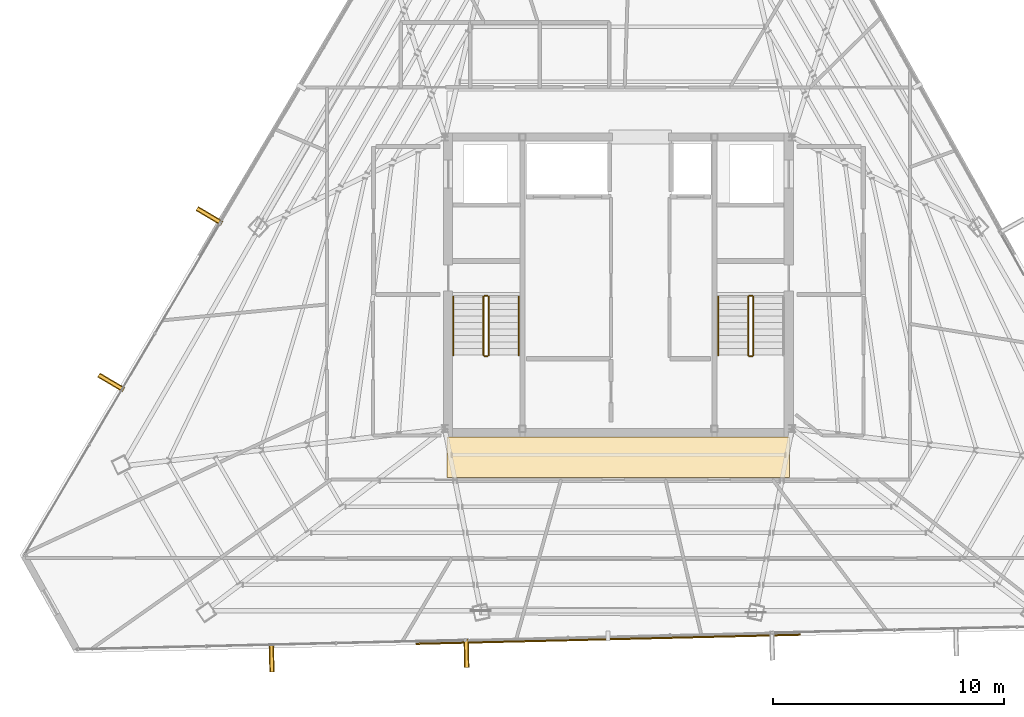
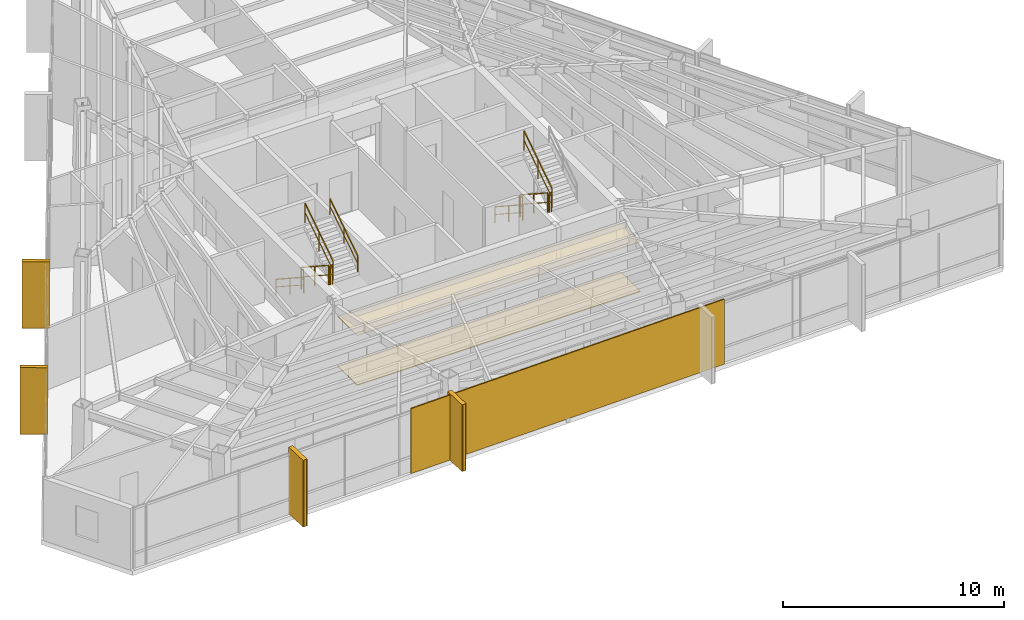
# One storey, part 44 of 45: 11 railings, 6 coverings, 5 shading devices.
"""IFC4 building model written with IfcOpenShell, lengths in metres."""

from ifc_helpers import new_model, si_unit, direction, frame, origin, origin_2d, place, context, subcontext, project, spatial, polyline, rectangle, outline, extrude, source, transform, mapped, material, layer, layer_set, type_object, type_shapes, element, save


model = new_model("IFC4")

# Units and contexts
model_context = context("Model", 3, precision=1e-05, world=origin(), true_north=direction((0.0, 1.0)))
body_context = subcontext(model_context, "Body", "Model", "MODEL_VIEW")
ifc_project = project(units=[si_unit("LENGTHUNIT", "METRE"), si_unit("AREAUNIT", "SQUARE_METRE"), si_unit("VOLUMEUNIT", "CUBIC_METRE"), si_unit("PLANEANGLEUNIT", "RADIAN"), si_unit("MASSUNIT", "GRAM", prefix="KILO")], contexts=[model_context])

# Site, building, storey
site_placement = place(None, origin())
site = spatial("IfcSite", under=ifc_project, at=site_placement, CompositionType="ELEMENT")
building_placement = place(site_placement, origin())
building = spatial("IfcBuilding", under=site, at=building_placement, Name="Caelisora Broadcast Tower", CompositionType="ELEMENT")
storey_placement = place(building_placement, frame((0.0, 0.0, 262.699951171875)))
storey = spatial("IfcBuildingStorey", under=building, at=storey_placement, Name="L69", CompositionType="ELEMENT", Elevation=262.699951171875)

# Coverings
ifc_material_1 = material(Name="Perforated Mineral-Fibre Acoustic Ceiling Tile", Category="gypsum")
ifc_layer_1 = layer(ifc_material_1, 0.034912109375, Name="Perforated Mineral-Fibre Acoustic Ceiling Tile")
ifc_layer_set_1 = layer_set([ifc_layer_1], Name="Perforated Mineral-Fibre Acoustic Ceiling Tile")
covering_type_1 = type_object("IfcCoveringType", Name="CE-1", PredefinedType="CEILING", material=ifc_layer_set_1)
covering_1_placement = place(storey_placement, frame((0.0, 0.0, 2.75)))
element("IfcCovering", 1, at=covering_1_placement, inside=storey, type_object=covering_type_1, Name="L69 acoustic corridor ceiling CE-1 (S)", PredefinedType="CEILING", context=body_context, shape_type="SweptSolid", body=[
    extrude(outline(polyline([(30.60009765625, 15.300048828125), (45.39990234375, 15.300048828125), (45.39990234375, 17.050048828125), (30.60009765625, 17.050048828125), (30.60009765625, 15.300048828125)])), origin(), (0.0, 0.0, 1.0), 0.03515625),
])
ifc_material_2 = material(Name="Anti-Static Broadcast Raised Access Floor Panel", Category="steel")
ifc_layer_2 = layer(ifc_material_2, 0.044921875, Name="Anti-Static Broadcast Raised Access Floor Panel")
ifc_layer_set_2 = layer_set([ifc_layer_2], Name="Anti-Static Broadcast Raised Access Floor Panel")
covering_type_2 = type_object("IfcCoveringType", Name="FL-1", PredefinedType="FLOORING", material=ifc_layer_set_2)
covering_2_placement = place(storey_placement, origin())
element("IfcCovering", 2, at=covering_2_placement, inside=storey, type_object=covering_type_2, Name="L69 broadcast raised access floor FL-1 (S)", PredefinedType="FLOORING", context=body_context, shape_type="SweptSolid", body=[
    extrude(outline(polyline([(30.60009765625, 15.300048828125), (45.39990234375, 15.300048828125), (45.39990234375, 17.050048828125), (30.60009765625, 17.050048828125), (30.60009765625, 15.300048828125)])), origin(), (0.0, 0.0, 1.0), 0.045166015625),
])

# Railings
ifc_material_3 = material(Name="Galvanised Steel Safety Guardrail", Category="steel")
ifc_layer_3 = layer(ifc_material_3, 0.048095703125, Name="Galvanised Steel Safety Guardrail")
ifc_layer_set_3 = layer_set([ifc_layer_3], Name="Galvanised Steel Safety Guardrail")
railing_type_1 = type_object("IfcRailingType", Name="GR-1", PredefinedType="GUARDRAIL", material=ifc_layer_set_3)
railing_1_placement = place(storey_placement, frame((32.169921875, 23.10009765625, 0.1826171875)))
element("IfcRailing", 3, at=railing_1_placement, inside=storey, type_object=railing_type_1, Name="L69 ST-1 stair guard 1", PredefinedType="GUARDRAIL", context=body_context, shape_type="SweptSolid", body=[
    extrude(rectangle(XDim=0.048095703125, YDim=0.048095703125, at=origin_2d()), frame((0.0, 0.0, 1.076171875), z_axis=(0.0, -0.837786554691, 0.545997883492), x_axis=(1.0, 0.0, 0.0)), (0.0, 0.0, 1.0), 3.008056640625),
    extrude(rectangle(XDim=0.03125, YDim=0.03125, at=origin_2d()), frame((0.0, 0.0, 0.550048828125), z_axis=(0.0, -0.837786554691, 0.545997883492), x_axis=(1.0, 0.0, 0.0)), (0.0, 0.0, 1.0), 3.008056640625),
    extrude(rectangle(XDim=0.0419921875, YDim=0.0419921875, at=origin_2d()), origin(), (0.0, 0.0, 1.0), 1.052001953125),
    extrude(rectangle(XDim=0.0419921875, YDim=0.0419921875, at=origin_2d()), frame((0.0, -1.260009765625, 0.8212890625)), (0.0, 0.0, 1.0), 1.052001953125),
    extrude(rectangle(XDim=0.0419921875, YDim=0.0419921875, at=origin_2d()), frame((0.0, -2.52001953125, 1.642333984375)), (0.0, 0.0, 1.0), 1.052001953125),
])
railing_2_placement = place(storey_placement, frame((32.219970703125, 20.530029296875, 1.824951171875)))
element("IfcRailing", 4, at=railing_2_placement, inside=storey, type_object=railing_type_1, Name="L69 ST-1 stair guard 2", PredefinedType="GUARDRAIL", context=body_context, shape_type="SweptSolid", body=[
    extrude(rectangle(XDim=0.048095703125, YDim=0.048095703125, at=origin_2d()), frame((0.0, 0.0, 1.076171875), z_axis=(1.0, 0.0, 0.0), x_axis=(0.0, 1.0, 0.0)), (0.0, 0.0, 1.0), 0.1201171875),
    extrude(rectangle(XDim=0.03125, YDim=0.03125, at=origin_2d()), frame((0.0, 0.0, 0.550048828125), z_axis=(1.0, 0.0, 0.0), x_axis=(0.0, 1.0, 0.0)), (0.0, 0.0, 1.0), 0.1201171875),
    extrude(rectangle(XDim=0.0419921875, YDim=0.0419921875, at=origin_2d()), origin(), (0.0, 0.0, 1.0), 1.052001953125),
    extrude(rectangle(XDim=0.0419921875, YDim=0.0419921875, at=origin_2d()), frame((0.1201171875, 0.0, 0.0)), (0.0, 0.0, 1.0), 1.052001953125),
])
railing_3_placement = place(storey_placement, frame((32.389892578125, 20.580078125, 2.007568359375)))
element("IfcRailing", 5, at=railing_3_placement, inside=storey, type_object=railing_type_1, Name="L69 ST-1 stair guard 3", PredefinedType="GUARDRAIL", context=body_context, shape_type="SweptSolid", body=[
    extrude(rectangle(XDim=0.048095703125, YDim=0.048095703125, at=origin_2d()), frame((0.0, 0.0, 1.076171875), z_axis=(0.0, 0.837749427056, 0.546054848405), x_axis=(-1.0, 0.0, 0.0)), (0.0, 0.0, 1.0), 3.008056640625),
    extrude(rectangle(XDim=0.03125, YDim=0.03125, at=origin_2d()), frame((0.0, 0.0, 0.550048828125), z_axis=(0.0, 0.837749427056, 0.546054848405), x_axis=(-1.0, 0.0, 0.0)), (0.0, 0.0, 1.0), 3.008056640625),
    extrude(rectangle(XDim=0.0419921875, YDim=0.0419921875, at=origin_2d()), origin(), (0.0, 0.0, 1.0), 1.052001953125),
    extrude(rectangle(XDim=0.0419921875, YDim=0.0419921875, at=origin_2d()), frame((0.0, 1.260009765625, 0.8212890625)), (0.0, 0.0, 1.0), 1.052001953125),
    extrude(rectangle(XDim=0.0419921875, YDim=0.0419921875, at=origin_2d()), frame((0.0, 2.52001953125, 1.642578125)), (0.0, 0.0, 1.0), 1.052001953125),
])
railing_4_placement = place(storey_placement, frame((32.219970703125, 23.14990234375, 0.0)))
element("IfcRailing", 6, at=railing_4_placement, inside=storey, type_object=railing_type_1, Name="L69 ST-1 stair guard 4", PredefinedType="GUARDRAIL", context=body_context, shape_type="SweptSolid", body=[
    extrude(rectangle(XDim=0.048095703125, YDim=0.048095703125, at=origin_2d()), frame((0.0, 0.0, 1.076171875), z_axis=(1.0, 0.0, 0.0), x_axis=(0.0, 1.0, 0.0)), (0.0, 0.0, 1.0), 0.1201171875),
    extrude(rectangle(XDim=0.03125, YDim=0.03125, at=origin_2d()), frame((0.0, 0.0, 0.550048828125), z_axis=(1.0, 0.0, 0.0), x_axis=(0.0, 1.0, 0.0)), (0.0, 0.0, 1.0), 0.1201171875),
    extrude(rectangle(XDim=0.0419921875, YDim=0.0419921875, at=origin_2d()), origin(), (0.0, 0.0, 1.0), 1.052001953125),
    extrude(rectangle(XDim=0.0419921875, YDim=0.0419921875, at=origin_2d()), frame((0.1201171875, 0.0, 0.0)), (0.0, 0.0, 1.0), 1.052001953125),
])
railing_5_placement = place(storey_placement, frame((43.610107421875, 23.10009765625, 0.1826171875)))
element("IfcRailing", 7, at=railing_5_placement, inside=storey, type_object=railing_type_1, Name="L69 ST-2 stair guard 1", PredefinedType="GUARDRAIL", context=body_context, shape_type="SweptSolid", body=[
    extrude(rectangle(XDim=0.048095703125, YDim=0.048095703125, at=origin_2d()), frame((0.0, 0.0, 1.076171875), z_axis=(0.0, -0.837786554691, 0.545997883492), x_axis=(1.0, 0.0, 0.0)), (0.0, 0.0, 1.0), 3.008056640625),
    extrude(rectangle(XDim=0.03125, YDim=0.03125, at=origin_2d()), frame((0.0, 0.0, 0.550048828125), z_axis=(0.0, -0.837786554691, 0.545997883492), x_axis=(1.0, 0.0, 0.0)), (0.0, 0.0, 1.0), 3.008056640625),
    extrude(rectangle(XDim=0.0419921875, YDim=0.0419921875, at=origin_2d()), origin(), (0.0, 0.0, 1.0), 1.052001953125),
    extrude(rectangle(XDim=0.0419921875, YDim=0.0419921875, at=origin_2d()), frame((0.0, -1.260009765625, 0.8212890625)), (0.0, 0.0, 1.0), 1.052001953125),
    extrude(rectangle(XDim=0.0419921875, YDim=0.0419921875, at=origin_2d()), frame((0.0, -2.52001953125, 1.642333984375)), (0.0, 0.0, 1.0), 1.052001953125),
])
railing_6_placement = place(storey_placement, frame((43.659912109375, 20.530029296875, 1.824951171875)))
element("IfcRailing", 8, at=railing_6_placement, inside=storey, type_object=railing_type_1, Name="L69 ST-2 stair guard 2", PredefinedType="GUARDRAIL", context=body_context, shape_type="SweptSolid", body=[
    extrude(rectangle(XDim=0.048095703125, YDim=0.048095703125, at=origin_2d()), frame((0.0, 0.0, 1.076171875), z_axis=(1.0, 0.0, 0.0), x_axis=(0.0, 1.0, 0.0)), (0.0, 0.0, 1.0), 0.1201171875),
    extrude(rectangle(XDim=0.03125, YDim=0.03125, at=origin_2d()), frame((0.0, 0.0, 0.550048828125), z_axis=(1.0, 0.0, 0.0), x_axis=(0.0, 1.0, 0.0)), (0.0, 0.0, 1.0), 0.1201171875),
    extrude(rectangle(XDim=0.0419921875, YDim=0.0419921875, at=origin_2d()), origin(), (0.0, 0.0, 1.0), 1.052001953125),
    extrude(rectangle(XDim=0.0419921875, YDim=0.0419921875, at=origin_2d()), frame((0.1201171875, 0.0, 0.0)), (0.0, 0.0, 1.0), 1.052001953125),
])
railing_7_placement = place(storey_placement, frame((43.830078125, 20.580078125, 2.007568359375)))
element("IfcRailing", 9, at=railing_7_placement, inside=storey, type_object=railing_type_1, Name="L69 ST-2 stair guard 3", PredefinedType="GUARDRAIL", context=body_context, shape_type="SweptSolid", body=[
    extrude(rectangle(XDim=0.048095703125, YDim=0.048095703125, at=origin_2d()), frame((0.0, 0.0, 1.076171875), z_axis=(0.0, 0.837749427056, 0.546054848405), x_axis=(-1.0, 0.0, 0.0)), (0.0, 0.0, 1.0), 3.008056640625),
    extrude(rectangle(XDim=0.03125, YDim=0.03125, at=origin_2d()), frame((0.0, 0.0, 0.550048828125), z_axis=(0.0, 0.837749427056, 0.546054848405), x_axis=(-1.0, 0.0, 0.0)), (0.0, 0.0, 1.0), 3.008056640625),
    extrude(rectangle(XDim=0.0419921875, YDim=0.0419921875, at=origin_2d()), origin(), (0.0, 0.0, 1.0), 1.052001953125),
    extrude(rectangle(XDim=0.0419921875, YDim=0.0419921875, at=origin_2d()), frame((0.0, 1.260009765625, 0.8212890625)), (0.0, 0.0, 1.0), 1.052001953125),
    extrude(rectangle(XDim=0.0419921875, YDim=0.0419921875, at=origin_2d()), frame((0.0, 2.52001953125, 1.642578125)), (0.0, 0.0, 1.0), 1.052001953125),
])
railing_8_placement = place(storey_placement, frame((43.659912109375, 23.14990234375, 0.0)))
element("IfcRailing", 10, at=railing_8_placement, inside=storey, type_object=railing_type_1, Name="L69 ST-2 stair guard 4", PredefinedType="GUARDRAIL", context=body_context, shape_type="SweptSolid", body=[
    extrude(rectangle(XDim=0.048095703125, YDim=0.048095703125, at=origin_2d()), frame((0.0, 0.0, 1.076171875), z_axis=(1.0, 0.0, 0.0), x_axis=(0.0, 1.0, 0.0)), (0.0, 0.0, 1.0), 0.1201171875),
    extrude(rectangle(XDim=0.03125, YDim=0.03125, at=origin_2d()), frame((0.0, 0.0, 0.550048828125), z_axis=(1.0, 0.0, 0.0), x_axis=(0.0, 1.0, 0.0)), (0.0, 0.0, 1.0), 0.1201171875),
    extrude(rectangle(XDim=0.0419921875, YDim=0.0419921875, at=origin_2d()), origin(), (0.0, 0.0, 1.0), 1.052001953125),
    extrude(rectangle(XDim=0.0419921875, YDim=0.0419921875, at=origin_2d()), frame((0.1201171875, 0.0, 0.0)), (0.0, 0.0, 1.0), 1.052001953125),
])
ifc_material_4 = material(Name="Stainless Steel Grade 316 Tubular Handrail", Category="steel")
ifc_layer_4 = layer(ifc_material_4, 0.048095703125, Name="Stainless Steel Grade 316 Tubular Handrail")
ifc_layer_set_4 = layer_set([ifc_layer_4], Name="Stainless Steel Grade 316 Tubular Handrail")
railing_type_2 = type_object("IfcRailingType", Name="HR-1", PredefinedType="HANDRAIL", material=ifc_layer_set_4)
railing_9_placement = place(storey_placement, frame((30.8701171875, 23.10009765625, 0.1826171875)))
element("IfcRailing", 11, at=railing_9_placement, inside=storey, type_object=railing_type_2, Name="L69 ST-1 stair handrail 1", PredefinedType="HANDRAIL", context=body_context, shape_type="SweptSolid", body=[
    extrude(rectangle(XDim=0.048095703125, YDim=0.048095703125, at=origin_2d()), frame((0.0, 0.0, 0.8759765625), z_axis=(0.0, -0.837786554691, 0.545997883492), x_axis=(1.0, 0.0, 0.0)), (0.0, 0.0, 1.0), 3.008056640625),
    extrude(rectangle(XDim=0.03125, YDim=0.03125, at=origin_2d()), frame((0.0, 0.0, 0.449951171875), z_axis=(0.0, -0.837786554691, 0.545997883492), x_axis=(1.0, 0.0, 0.0)), (0.0, 0.0, 1.0), 3.008056640625),
    extrude(rectangle(XDim=0.0419921875, YDim=0.0419921875, at=origin_2d()), origin(), (0.0, 0.0, 1.0), 0.851806640625),
    extrude(rectangle(XDim=0.0419921875, YDim=0.0419921875, at=origin_2d()), frame((0.0, -1.260009765625, 0.8212890625)), (0.0, 0.0, 1.0), 0.851806640625),
    extrude(rectangle(XDim=0.0419921875, YDim=0.0419921875, at=origin_2d()), frame((0.0, -2.52001953125, 1.642333984375)), (0.0, 0.0, 1.0), 0.851806640625),
])
railing_10_placement = place(storey_placement, frame((33.68994140625, 20.580078125, 2.007568359375)))
element("IfcRailing", 12, at=railing_10_placement, inside=storey, type_object=railing_type_2, Name="L69 ST-1 stair handrail 2", PredefinedType="HANDRAIL", context=body_context, shape_type="SweptSolid", body=[
    extrude(rectangle(XDim=0.048095703125, YDim=0.048095703125, at=origin_2d()), frame((0.0, 0.0, 0.8759765625), z_axis=(0.0, 0.837749427056, 0.546054848405), x_axis=(-1.0, 0.0, 0.0)), (0.0, 0.0, 1.0), 3.008056640625),
    extrude(rectangle(XDim=0.03125, YDim=0.03125, at=origin_2d()), frame((0.0, 0.0, 0.449951171875), z_axis=(0.0, 0.837749427056, 0.546054848405), x_axis=(-1.0, 0.0, 0.0)), (0.0, 0.0, 1.0), 3.008056640625),
    extrude(rectangle(XDim=0.0419921875, YDim=0.0419921875, at=origin_2d()), origin(), (0.0, 0.0, 1.0), 0.851806640625),
    extrude(rectangle(XDim=0.0419921875, YDim=0.0419921875, at=origin_2d()), frame((0.0, 1.260009765625, 0.8212890625)), (0.0, 0.0, 1.0), 0.851806640625),
    extrude(rectangle(XDim=0.0419921875, YDim=0.0419921875, at=origin_2d()), frame((0.0, 2.52001953125, 1.642578125)), (0.0, 0.0, 1.0), 0.851806640625),
])
railing_11_placement = place(storey_placement, frame((42.31005859375, 23.10009765625, 0.1826171875)))
element("IfcRailing", 13, at=railing_11_placement, inside=storey, type_object=railing_type_2, Name="L69 ST-2 stair handrail 1", PredefinedType="HANDRAIL", context=body_context, shape_type="SweptSolid", body=[
    extrude(rectangle(XDim=0.048095703125, YDim=0.048095703125, at=origin_2d()), frame((0.0, 0.0, 0.8759765625), z_axis=(0.0, -0.837786554691, 0.545997883492), x_axis=(1.0, 0.0, 0.0)), (0.0, 0.0, 1.0), 3.008056640625),
    extrude(rectangle(XDim=0.03125, YDim=0.03125, at=origin_2d()), frame((0.0, 0.0, 0.449951171875), z_axis=(0.0, -0.837786554691, 0.545997883492), x_axis=(1.0, 0.0, 0.0)), (0.0, 0.0, 1.0), 3.008056640625),
    extrude(rectangle(XDim=0.0419921875, YDim=0.0419921875, at=origin_2d()), origin(), (0.0, 0.0, 1.0), 0.851806640625),
    extrude(rectangle(XDim=0.0419921875, YDim=0.0419921875, at=origin_2d()), frame((0.0, -1.260009765625, 0.8212890625)), (0.0, 0.0, 1.0), 0.851806640625),
    extrude(rectangle(XDim=0.0419921875, YDim=0.0419921875, at=origin_2d()), frame((0.0, -2.52001953125, 1.642333984375)), (0.0, 0.0, 1.0), 0.851806640625),
])

# Coverings
ifc_material_5 = material(Name="Kiln-Fired Terracotta Spandrel Rainscreen Cladding", Category="ceramic")
ifc_layer_5 = layer(ifc_material_5, 0.044921875, Name="Kiln-Fired Terracotta Spandrel Rainscreen Cladding")
ifc_layer_set_5 = layer_set([ifc_layer_5], Name="Kiln-Fired Terracotta Spandrel Rainscreen Cladding")
covering_type_3 = type_object("IfcCoveringType", Name="CL-1", PredefinedType="CLADDING", material=ifc_layer_set_5)
shared_shape_1 = source(origin(), body_context, "Body", "SweptSolid", [
    extrude(rectangle(XDim=0.219970703125, YDim=1.25, at=origin_2d()), origin(), (0.0, 0.0, 1.0), 3.68994140625),
])
type_shapes(covering_type_3, [shared_shape_1])
for number, where, z_axis, x_axis, name in (
    (14, (31.43359375, 7.705078125, -0.02001953125), (0.0, 0.0, 1.0), (-0.999718303037, -0.023734248954, 0.0), "L69 vertical solar fin cladding #2-3"),
    (15, (23.015380859375, 7.504638671875, -0.02001953125), (0.0, 0.0, 1.0), (-0.999718303037, -0.023734248954, 0.0), "L69 vertical solar fin cladding #2-4"),
    (16, (16.081298828125, 19.401611328125, -0.02001953125), (0.0, 0.0, 1.0), (0.508440380454, 0.861097195167, 0.0), "L69 vertical solar fin cladding #3-1"),
    (17, (20.32958984375, 26.59521484375, -0.02001953125), (0.0, 0.0, 1.0), (0.508440380454, 0.861097195167, 0.0), "L69 vertical solar fin cladding #3-2"),
):
    element("IfcCovering", number, at=place(storey_placement, frame(where, z_axis=z_axis, x_axis=x_axis)), inside=storey, type_object=covering_type_3, Name=name, PredefinedType="CLADDING", context=body_context, shape_type="MappedRepresentation", body=[
        mapped(shared_shape_1, transform((0.0, 0.0, 0.0), scale=1.0)),
    ])

# Shading devices
ifc_material_6 = material(Name="Extruded Terracotta Flaring Colonnade Fin", Category="ceramic")
ifc_layer_6 = layer(ifc_material_6, 0.139892578125, Name="Extruded Terracotta Flaring Colonnade Fin")
ifc_layer_set_6 = layer_set([ifc_layer_6], Name="Extruded Terracotta Flaring Colonnade Fin")
shading_device_type_1 = type_object("IfcShadingDeviceType", Name="FN-1", PredefinedType="USERDEFINED", material=ifc_layer_set_6)
shared_shape_2 = source(origin(), body_context, "Body", "SweptSolid", [
    extrude(rectangle(XDim=0.139892578125, YDim=1.25, at=origin_2d()), origin(), (0.0, 0.0, 1.0), 3.669921875),
])
type_shapes(shading_device_type_1, [shared_shape_2])
for number, where, z_axis, x_axis, name in (
    (18, (31.43359375, 7.705078125, -0.010009765625), (0.0, 0.0, 1.0), (-0.999718303037, -0.023734248954, 0.0), "L69 vertical terracotta fin #2-3"),
    (19, (23.015380859375, 7.504638671875, -0.010009765625), (0.0, 0.0, 1.0), (-0.999718303037, -0.023734248954, 0.0), "L69 vertical terracotta fin #2-4"),
    (20, (16.081298828125, 19.401611328125, -0.010009765625), (0.0, 0.0, 1.0), (0.508440380454, 0.861097195167, 0.0), "L69 vertical terracotta fin #3-1"),
    (21, (20.32958984375, 26.59521484375, -0.010009765625), (0.0, 0.0, 1.0), (0.508440380454, 0.861097195167, 0.0), "L69 vertical terracotta fin #3-2"),
):
    element("IfcShadingDevice", number, at=place(storey_placement, frame(where, z_axis=z_axis, x_axis=x_axis)), inside=storey, type_object=shading_device_type_1, Name=name, ObjectType="FIN", PredefinedType="USERDEFINED", context=body_context, shape_type="MappedRepresentation", body=[
        mapped(shared_shape_2, transform((0.0, 0.0, 0.0), scale=1.0)),
    ])
ifc_material_7 = material(Name="Perforated Glazed Terracotta Baguette Solar Screen", Category="ceramic")
ifc_layer_7 = layer(ifc_material_7, 0.06494140625, Name="Perforated Glazed Terracotta Baguette Solar Screen")
ifc_layer_set_7 = layer_set([ifc_layer_7], Name="Perforated Glazed Terracotta Baguette Solar Screen")
shading_device_type_2 = type_object("IfcShadingDeviceType", Name="SS-1", PredefinedType="USERDEFINED", material=ifc_layer_set_7)
shared_shape_3 = source(origin(), body_context, "Body", "SweptSolid", [
    extrude(rectangle(XDim=16.60791015625, YDim=0.06494140625, at=origin_2d()), origin(), (0.0, 0.0, 1.0), 3.590087890625),
])
type_shapes(shading_device_type_2, [shared_shape_3])
shading_device_placement = place(storey_placement, frame((37.555419921875, 8.301025390625, 0.0), z_axis=(0.0, 0.0, 1.0), x_axis=(0.999718303037, 0.023734248954, 0.0)))
element("IfcShadingDevice", 22, at=shading_device_placement, inside=storey, type_object=shading_device_type_2, Name="L69 perforated terracotta solar screen #2", ObjectType="SOLAR SCREEN", PredefinedType="USERDEFINED", context=body_context, shape_type="MappedRepresentation", body=[
    mapped(shared_shape_3, transform((0.0, 0.0, 0.0), scale=1.0)),
])

save(model, "model.ifc")
